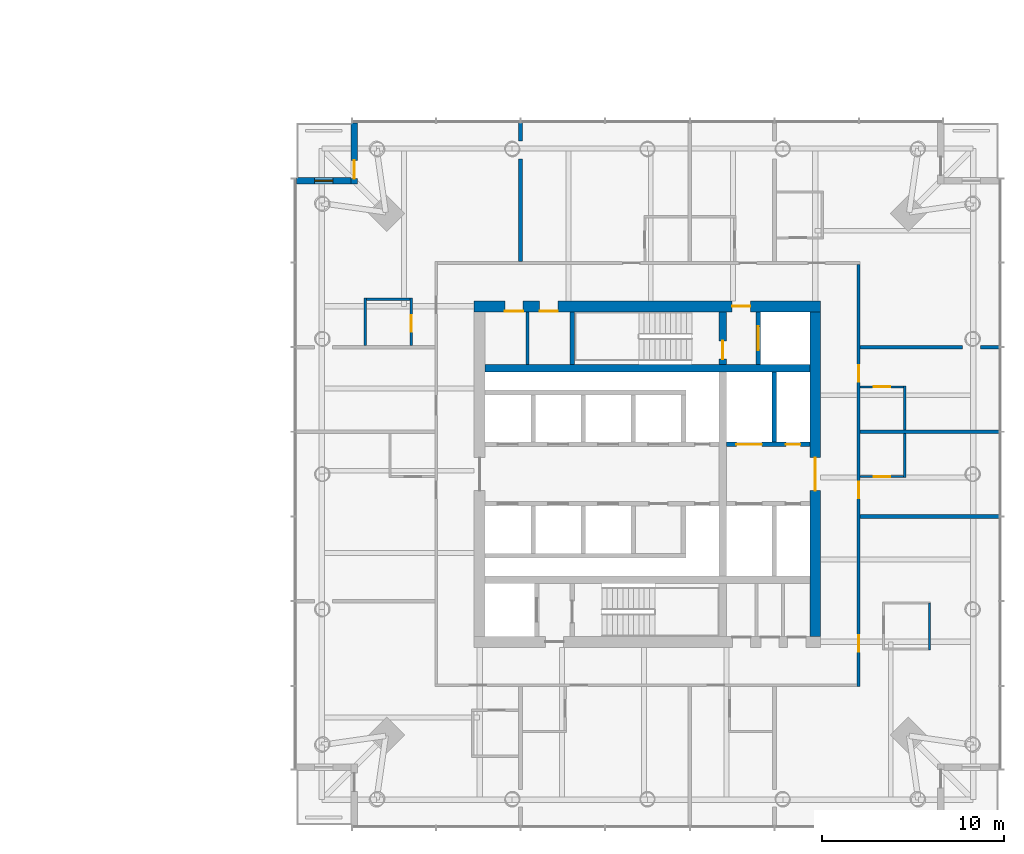
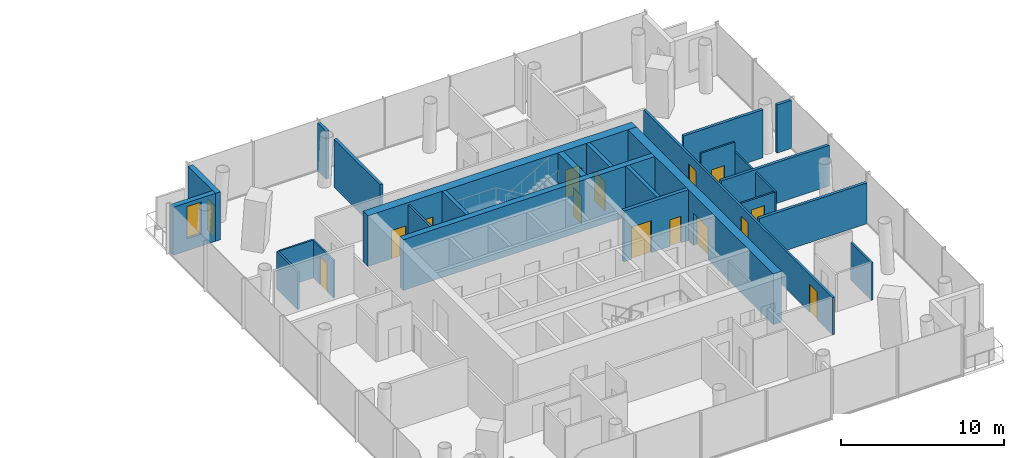
# One storey, part 16 of 21: 26 walls, 15 doors, 1 window, 16 openings.
"""IFC4 building model written with IfcOpenShell, lengths in metres."""

from ifc_helpers import new_model, si_unit, direction, frame, frame_2d, origin, place, context, subcontext, project, spatial, rectangle, extrude, material, layer, layer_set, type_object, element, fill, save


model = new_model("IFC4")

# Units and contexts
model_context = context("Model", 3, precision=1e-05, world=origin(), true_north=direction((0.0, 1.0)))
body_context = subcontext(model_context, "Body", "Model", "MODEL_VIEW")
ifc_project = project(units=[si_unit("LENGTHUNIT", "METRE"), si_unit("AREAUNIT", "SQUARE_METRE"), si_unit("VOLUMEUNIT", "CUBIC_METRE"), si_unit("PLANEANGLEUNIT", "RADIAN"), si_unit("MASSUNIT", "GRAM", prefix="KILO")], contexts=[model_context])

# Site, building, storey
site_placement = place(None, origin())
site = spatial("IfcSite", under=ifc_project, at=site_placement, CompositionType="ELEMENT")
building_placement = place(site_placement, origin())
building = spatial("IfcBuilding", under=site, at=building_placement, Name="Ostroluk Exchange", CompositionType="ELEMENT")
storey_placement = place(building_placement, frame((0.0, 0.0, 47.60009765625)))
storey = spatial("IfcBuildingStorey", under=building, at=storey_placement, Name="L11", CompositionType="ELEMENT", Elevation=47.60009765625)

# Walls
ifc_material_1 = material(Name="Concrete blockwork", Category="masonry")
ifc_layer_1 = layer(ifc_material_1, 0.14990234375)
ifc_layer_set_1 = layer_set([ifc_layer_1], Name="Blockwork plant room wall 150")
wall_type_1 = type_object("IfcWallType", Name="Blockwork plant room wall 150", PredefinedType="SOLIDWALL", material=ifc_layer_set_1)
wall_1_placement = place(storey_placement, frame((110.425048828125, 52.0, 0.0), z_axis=(0.0, 0.0, 1.0), x_axis=(0.0, 1.0, 0.0)))
element("IfcWall", 1, at=wall_1_placement, inside=storey, type_object=wall_type_1, Name="Core room wall", PredefinedType="SOLIDWALL", context=body_context, shape_type="SweptSolid", body=[
    extrude(rectangle(XDim=2.89990234375, YDim=0.14990234375, at=frame_2d((1.449951171875, 0.0))), origin(), (0.0, 0.0, 1.0), 3.599853515625),
])
ifc_material_2 = material(Name="Concrete C50/60", Category="concrete")
ifc_layer_2 = layer(ifc_material_2, 0.39990234375)
ifc_layer_set_2 = layer_set([ifc_layer_2], Name="Core cross wall 400 C50/60")
wall_type_2 = type_object("IfcWallType", Name="Core cross wall 400 C50/60", PredefinedType="SHEAR", material=ifc_layer_set_2)
wall_2_placement = place(storey_placement, frame((108.10009765625, 51.800048828125, 0.0), z_axis=(0.0, 0.0, 1.0), x_axis=(1.0, 0.0, 0.0)))
element("IfcWall", 2, at=wall_2_placement, inside=storey, type_object=wall_type_2, Name="T2 core wall XN", PredefinedType="SHEAR", context=body_context, shape_type="SweptSolid", body=[
    extrude(rectangle(XDim=17.7998046875, YDim=0.39990234375, at=frame_2d((8.89990234375, 0.0))), origin(), (0.0, 0.0, 1.0), 3.7998046875),
])

# Wall, opening, door
wall_3_placement = place(storey_placement, frame((121.1298828125, 52.0, 0.0), z_axis=(0.0, 0.0, 1.0), x_axis=(0.0, 1.0, 0.0)))
wall_3 = element("IfcWall", 3, at=wall_3_placement, inside=storey, type_object=wall_type_2, Name="T2 core wall YE3", PredefinedType="SHEAR", context=body_context, shape_type="SweptSolid", body=[
    extrude(rectangle(XDim=2.89990234375, YDim=0.39990234375, at=frame_2d((1.449951171875, 0.0))), origin(), (0.0, 0.0, 1.0), 3.7998046875),
])
opening_1_placement = place(wall_3_placement, frame((0.300048828125, 0.0, 0.0)))
opening_1 = element("IfcOpeningElement", 4, at=opening_1_placement, cuts=wall_3, Name="Opening FD60", PredefinedType="OPENING", context=body_context, shape_type="SweptSolid", body=[
    extrude(rectangle(XDim=1.0, YDim=2.10009765625, at=frame_2d((0.5, 1.050048828125))), frame((0.0, 0.2099609375, 0.0), z_axis=(0.0, -1.0, 0.0), x_axis=(1.0, 0.0, 0.0)), (0.0, 0.0, 1.0), 0.419921875),
])
ifc_material_3 = material(Name="Steel", Category="steel")
door_type_1 = type_object("IfcDoorType", Name="Fire door EI 60 1000 x 2100", OperationType="SINGLE_SWING_LEFT", PredefinedType="DOOR", material=ifc_material_3)
door_1_placement = place(opening_1_placement, origin())
door_1 = element("IfcDoor", 5, at=door_1_placement, inside=storey, type_object=door_type_1, Name="Stair T2-S2 door", OperationType="SINGLE_SWING_LEFT", OverallHeight=2.10009765625, OverallWidth=1.0, PredefinedType="DOOR", context=body_context, shape_type="SweptSolid", body=[
    extrude(rectangle(XDim=1.0, YDim=2.10009765625, at=frame_2d((0.5, 1.050048828125))), frame((0.0, 0.02490234375, 0.0), z_axis=(0.0, -1.0, 0.0), x_axis=(1.0, 0.0, 0.0)), (0.0, 0.0, 1.0), 0.050048828125),
])
fill(opening_1, door_1)

# Wall
ifc_material_4 = material(Name="Concrete C40/50", Category="concrete")
ifc_layer_3 = layer(ifc_material_4, 0.25)
ifc_layer_set_3 = layer_set([ifc_layer_3], Name="Core shaft wall 250")
wall_type_3 = type_object("IfcWallType", Name="Core shaft wall 250", PredefinedType="SHEAR", material=ifc_layer_set_3)
wall_4_placement = place(storey_placement, frame((112.875, 52.0, 0.0), z_axis=(0.0, 0.0, 1.0), x_axis=(0.0, 1.0, 0.0)))
element("IfcWall", 6, at=wall_4_placement, inside=storey, type_object=wall_type_3, Name="Stair shaft wall", PredefinedType="SHEAR", context=body_context, shape_type="SweptSolid", body=[
    extrude(rectangle(XDim=2.89990234375, YDim=0.25, at=frame_2d((1.449951171875, 0.0))), origin(), (0.0, 0.0, 1.0), 3.7998046875),
])

# Wall, opening, door
wall_5_placement = place(storey_placement, frame((123.074951171875, 52.0, 0.0), z_axis=(0.0, 0.0, 1.0), x_axis=(0.0, 1.0, 0.0)))
wall_5 = element("IfcWall", 7, at=wall_5_placement, inside=storey, type_object=wall_type_3, Name="Firefighting lift shaft wall", PredefinedType="SHEAR", context=body_context, shape_type="SweptSolid", body=[
    extrude(rectangle(XDim=2.89990234375, YDim=0.25, at=frame_2d((1.449951171875, 0.0))), origin(), (0.0, 0.0, 1.0), 3.7998046875),
])
opening_2_placement = place(wall_5_placement, frame((0.800048828125, 0.0, 0.0)))
opening_2 = element("IfcOpeningElement", 8, at=opening_2_placement, cuts=wall_5, Name="Opening LD2", PredefinedType="OPENING", context=body_context, shape_type="SweptSolid", body=[
    extrude(rectangle(XDim=1.300048828125, YDim=2.199951171875, at=frame_2d((0.64990234375, 1.10009765625))), frame((0.0, 0.135009765625, 0.0), z_axis=(0.0, -1.0, 0.0), x_axis=(1.0, 0.0, 0.0)), (0.0, 0.0, 1.0), 0.27001953125),
])
ifc_material_5 = material(Name="Stainless steel", Category="steel")
door_type_2 = type_object("IfcDoorType", Name="Lift landing door E 60 1300 x 2200", OperationType="DOUBLE_DOOR_SLIDING", PredefinedType="DOOR", material=ifc_material_5)
door_2_placement = place(opening_2_placement, origin())
door_2 = element("IfcDoor", 9, at=door_2_placement, inside=storey, type_object=door_type_2, Name="Lift HF2 landing door", OperationType="DOUBLE_DOOR_SLIDING", OverallHeight=2.199951171875, OverallWidth=1.300048828125, PredefinedType="DOOR", context=body_context, shape_type="SweptSolid", body=[
    extrude(rectangle(XDim=1.300048828125, YDim=2.199951171875, at=frame_2d((0.64990234375, 1.10009765625))), frame((0.0, 0.02490234375, 0.0), z_axis=(0.0, -1.0, 0.0), x_axis=(1.0, 0.0, 0.0)), (0.0, 0.0, 1.0), 0.050048828125),
])
fill(opening_2, door_2)

# Wall
wall_6_placement = place(storey_placement, frame((123.955078125, 47.75, 0.0), z_axis=(0.0, 0.0, 1.0), x_axis=(0.0, 1.0, 0.0)))
element("IfcWall", 10, at=wall_6_placement, inside=storey, type_object=wall_type_3, Name="Lift shaft wall", PredefinedType="SHEAR", context=body_context, shape_type="SweptSolid", body=[
    extrude(rectangle(XDim=3.85009765625, YDim=0.25, at=frame_2d((1.925048828125, 0.0))), origin(), (0.0, 0.0, 1.0), 3.7998046875),
])

# Wall, openings, doors
wall_7_placement = place(storey_placement, frame((121.330078125, 47.625, 0.0), z_axis=(0.0, 0.0, 1.0), x_axis=(1.0, 0.0, 0.0)))
wall_7 = element("IfcWall", 11, at=wall_7_placement, inside=storey, type_object=wall_type_3, Name="Lift shaft front wall", PredefinedType="SHEAR", context=body_context, shape_type="SweptSolid", body=[
    extrude(rectangle(XDim=4.56982421875, YDim=0.25, at=frame_2d((2.284912109375, 0.0))), origin(), (0.0, 0.0, 1.0), 3.7998046875),
])
opening_3_placement = place(wall_7_placement, frame((0.550048828125, 0.0, 0.0)))
opening_3 = element("IfcOpeningElement", 12, at=opening_3_placement, cuts=wall_7, Name="Opening LD3", PredefinedType="OPENING", context=body_context, shape_type="SweptSolid", body=[
    extrude(rectangle(XDim=1.39990234375, YDim=2.39990234375, at=frame_2d((0.699951171875, 1.199951171875))), frame((0.0, 0.135009765625, 0.0), z_axis=(0.0, -1.0, 0.0), x_axis=(1.0, 0.0, 0.0)), (0.0, 0.0, 1.0), 0.27001953125),
])
opening_4_placement = place(wall_7_placement, frame((3.260009765625, 0.0, 0.0)))
opening_4 = element("IfcOpeningElement", 13, at=opening_4_placement, cuts=wall_7, Name="Opening RD60", PredefinedType="OPENING", context=body_context, shape_type="SweptSolid", body=[
    extrude(rectangle(XDim=0.800048828125, YDim=2.0, at=frame_2d((0.39990234375, 1.0))), frame((0.0, 0.135009765625, 0.0), z_axis=(0.0, -1.0, 0.0), x_axis=(1.0, 0.0, 0.0)), (0.0, 0.0, 1.0), 0.27001953125),
])
ifc_material_6 = material(Name="Stainless steel", Category="steel")
door_type_3 = type_object("IfcDoorType", Name="Goods lift landing door E 60 1400 x 2400", OperationType="DOUBLE_DOOR_SLIDING", PredefinedType="DOOR", material=ifc_material_6)
door_3_placement = place(opening_3_placement, origin())
door_3 = element("IfcDoor", 14, at=door_3_placement, inside=storey, type_object=door_type_3, Name="Lift HS1 landing door", OperationType="DOUBLE_DOOR_SLIDING", OverallHeight=2.39990234375, OverallWidth=1.39990234375, PredefinedType="DOOR", context=body_context, shape_type="SweptSolid", body=[
    extrude(rectangle(XDim=1.39990234375, YDim=2.39990234375, at=frame_2d((0.699951171875, 1.199951171875))), frame((0.0, 0.02490234375, 0.0), z_axis=(0.0, -1.0, 0.0), x_axis=(1.0, 0.0, 0.0)), (0.0, 0.0, 1.0), 0.050048828125),
])
fill(opening_3, door_3)
ifc_material_7 = material(Name="Steel", Category="steel")
door_type_4 = type_object("IfcDoorType", Name="Riser access door EI 60 800 x 2000", OperationType="SINGLE_SWING_LEFT", PredefinedType="DOOR", material=ifc_material_7)
door_4_placement = place(opening_4_placement, origin())
door_4 = element("IfcDoor", 15, at=door_4_placement, inside=storey, type_object=door_type_4, Name="Riser access door", OperationType="SINGLE_SWING_RIGHT", OverallHeight=2.0, OverallWidth=0.800048828125, PredefinedType="DOOR", context=body_context, shape_type="SweptSolid", body=[
    extrude(rectangle(XDim=0.800048828125, YDim=2.0, at=frame_2d((0.39990234375, 1.0))), frame((0.0, 0.02490234375, 0.0), z_axis=(0.0, -1.0, 0.0), x_axis=(1.0, 0.0, 0.0)), (0.0, 0.0, 1.0), 0.050048828125),
])
fill(opening_4, door_4)

ifc_material_8 = material(Name="Concrete C50/60", Category="concrete")
ifc_layer_4 = layer(ifc_material_8, 0.60009765625)
ifc_layer_set_4 = layer_set([ifc_layer_4], Name="Core wall 600 C50/60")
wall_type_4 = type_object("IfcWallType", Name="Core wall 600 C50/60", PredefinedType="SHEAR", material=ifc_layer_set_4)
wall_8_placement = place(storey_placement, frame((107.5, 55.199951171875, 0.0), z_axis=(0.0, 0.0, 1.0), x_axis=(1.0, 0.0, 0.0)))
wall_8 = element("IfcWall", 16, at=wall_8_placement, inside=storey, type_object=wall_type_4, Name="T2 core wall N", PredefinedType="SHEAR", context=body_context, shape_type="SweptSolid", body=[
    extrude(rectangle(XDim=19.0, YDim=0.60009765625, at=frame_2d((9.5, 0.0))), origin(), (0.0, 0.0, 1.0), 3.7998046875),
])
opening_5_placement = place(wall_8_placement, frame((14.139892578125, 0.0, 0.0)))
opening_5 = element("IfcOpeningElement", 17, at=opening_5_placement, cuts=wall_8, Name="Opening FD60", PredefinedType="OPENING", context=body_context, shape_type="SweptSolid", body=[
    extrude(rectangle(XDim=1.0, YDim=2.10009765625, at=frame_2d((0.5, 1.050048828125))), frame((0.0, 0.31005859375, 0.0), z_axis=(0.0, -1.0, 0.0), x_axis=(1.0, 0.0, 0.0)), (0.0, 0.0, 1.0), 0.6201171875),
])
opening_6_placement = place(wall_8_placement, frame((1.675048828125, 0.0, 0.0)))
opening_6 = element("IfcOpeningElement", 18, at=opening_6_placement, cuts=wall_8, Name="Opening FD60", PredefinedType="OPENING", context=body_context, shape_type="SweptSolid", body=[
    extrude(rectangle(XDim=1.0, YDim=2.10009765625, at=frame_2d((0.5, 1.050048828125))), frame((0.0, 0.31005859375, 0.0), z_axis=(0.0, -1.0, 0.0), x_axis=(1.0, 0.0, 0.0)), (0.0, 0.0, 1.0), 0.6201171875),
])
opening_7_placement = place(wall_8_placement, frame((3.58740234375, 0.0, 0.0)))
opening_7 = element("IfcOpeningElement", 19, at=opening_7_placement, cuts=wall_8, Name="Opening FD60", PredefinedType="OPENING", context=body_context, shape_type="SweptSolid", body=[
    extrude(rectangle(XDim=1.0, YDim=2.10009765625, at=frame_2d((0.5, 1.050048828125))), frame((0.0, 0.31005859375, 0.0), z_axis=(0.0, -1.0, 0.0), x_axis=(1.0, 0.0, 0.0)), (0.0, 0.0, 1.0), 0.6201171875),
])
door_5_placement = place(opening_5_placement, origin())
door_5 = element("IfcDoor", 20, at=door_5_placement, inside=storey, type_object=door_type_1, Name="Firefighting lobby door", OperationType="SINGLE_SWING_RIGHT", OverallHeight=2.10009765625, OverallWidth=1.0, PredefinedType="DOOR", context=body_context, shape_type="SweptSolid", body=[
    extrude(rectangle(XDim=1.0, YDim=2.10009765625, at=frame_2d((0.5, 1.050048828125))), frame((0.0, 0.02490234375, 0.0), z_axis=(0.0, -1.0, 0.0), x_axis=(1.0, 0.0, 0.0)), (0.0, 0.0, 1.0), 0.050048828125),
])
fill(opening_5, door_5)
door_6_placement = place(opening_6_placement, origin())
door_6 = element("IfcDoor", 21, at=door_6_placement, inside=storey, type_object=door_type_1, Name="Guest pantry door", OperationType="SINGLE_SWING_LEFT", OverallHeight=2.10009765625, OverallWidth=1.0, PredefinedType="DOOR", context=body_context, shape_type="SweptSolid", body=[
    extrude(rectangle(XDim=1.0, YDim=2.10009765625, at=frame_2d((0.5, 1.050048828125))), frame((0.0, -0.23974609375, 0.0), z_axis=(0.0, -1.0, 0.0), x_axis=(1.0, 0.0, 0.0)), (0.0, 0.0, 1.0), 0.050048828125),
])
fill(opening_6, door_6)
door_7_placement = place(opening_7_placement, origin())
door_7 = element("IfcDoor", 22, at=door_7_placement, inside=storey, type_object=door_type_1, Name="Ice and vending room door", OperationType="SINGLE_SWING_LEFT", OverallHeight=2.10009765625, OverallWidth=1.0, PredefinedType="DOOR", context=body_context, shape_type="SweptSolid", body=[
    extrude(rectangle(XDim=1.0, YDim=2.10009765625, at=frame_2d((0.5, 1.050048828125))), frame((0.0, -0.23974609375, 0.0), z_axis=(0.0, -1.0, 0.0), x_axis=(1.0, 0.0, 0.0)), (0.0, 0.0, 1.0), 0.050048828125),
])
fill(opening_7, door_7)

# Wall, opening, door
wall_9_placement = place(storey_placement, frame((126.199951171875, 37.10009765625, 0.0), z_axis=(0.0, 0.0, 1.0), x_axis=(0.0, 1.0, 0.0)))
wall_9 = element("IfcWall", 23, at=wall_9_placement, inside=storey, type_object=wall_type_4, Name="T2 core wall E", PredefinedType="SHEAR", context=body_context, shape_type="SweptSolid", body=[
    extrude(rectangle(XDim=17.7998046875, YDim=0.60009765625, at=frame_2d((8.89990234375, 0.0))), origin(), (0.0, 0.0, 1.0), 3.7998046875),
])
opening_8_placement = place(wall_9_placement, frame((8.0, 0.0, 0.0)))
opening_8 = element("IfcOpeningElement", 24, at=opening_8_placement, cuts=wall_9, Name="Opening FD30D", PredefinedType="OPENING", context=body_context, shape_type="SweptSolid", body=[
    extrude(rectangle(XDim=1.800048828125, YDim=2.39990234375, at=frame_2d((0.89990234375, 1.199951171875))), frame((0.0, 0.31005859375, 0.0), z_axis=(0.0, -1.0, 0.0), x_axis=(1.0, 0.0, 0.0)), (0.0, 0.0, 1.0), 0.6201171875),
])
ifc_material_9 = material(Name="Timber", Category="wood")
door_type_5 = type_object("IfcDoorType", Name="Lobby double door EI 30 1800 x 2400", OperationType="DOUBLE_DOOR_SINGLE_SWING", PredefinedType="DOOR", material=ifc_material_9)
door_8_placement = place(opening_8_placement, origin())
door_8 = element("IfcDoor", 25, at=door_8_placement, inside=storey, type_object=door_type_5, Name="Lift lobby doors", OperationType="DOUBLE_DOOR_SINGLE_SWING", OverallHeight=2.39990234375, OverallWidth=1.800048828125, PredefinedType="DOOR", context=body_context, shape_type="SweptSolid", body=[
    extrude(rectangle(XDim=1.800048828125, YDim=2.39990234375, at=frame_2d((0.89990234375, 1.199951171875))), frame((0.0, 0.02490234375, 0.0), z_axis=(0.0, -1.0, 0.0), x_axis=(1.0, 0.0, 0.0)), (0.0, 0.0, 1.0), 0.050048828125),
])
fill(opening_8, door_8)

ifc_material_10 = material(Name="Limestone", Category="masonry")
ifc_layer_5 = layer(ifc_material_10, 0.35009765625)
ifc_layer_set_5 = layer_set([ifc_layer_5], Name="Limestone facade wall 350")
wall_type_5 = type_object("IfcWallType", Name="Limestone facade wall 350", PredefinedType="SOLIDWALL", material=ifc_layer_set_5)
wall_10_placement = place(storey_placement, frame((100.925048828125, 65.25, 0.0), z_axis=(0.0, 0.0, 1.0), x_axis=(0.0, -1.0, 0.0)))
wall_10 = element("IfcWall", 26, at=wall_10_placement, inside=storey, type_object=wall_type_5, Name="Hotel tower NW corner wall L11 a", PredefinedType="SOLIDWALL", context=body_context, shape_type="SweptSolid", body=[
    extrude(rectangle(XDim=3.35009765625, YDim=0.35009765625, at=frame_2d((1.675048828125, 0.0))), origin(), (0.0, 0.0, 1.0), 3.599853515625),
])
opening_9_placement = place(wall_10_placement, frame((2.050048828125, 0.0, 0.0)))
opening_9 = element("IfcOpeningElement", 27, at=opening_9_placement, cuts=wall_10, Name="Opening D-B1", PredefinedType="OPENING", context=body_context, shape_type="SweptSolid", body=[
    extrude(rectangle(XDim=1.0, YDim=2.39990234375, at=frame_2d((0.5, 1.199951171875))), frame((0.0, 0.18505859375, 0.0), z_axis=(0.0, -1.0, 0.0), x_axis=(1.0, 0.0, 0.0)), (0.0, 0.0, 1.0), 0.3701171875),
])
ifc_material_11 = material(Name="Bronze framed glazed door", Category="aluminium")
door_type_6 = type_object("IfcDoorType", Name="Balcony door 1000 x 2400", OperationType="SINGLE_SWING_LEFT", PredefinedType="DOOR", material=ifc_material_11)
door_9_placement = place(opening_9_placement, origin())
door_9 = element("IfcDoor", 28, at=door_9_placement, inside=storey, type_object=door_type_6, Name="Hotel tower NW balcony door L11", OperationType="SINGLE_SWING_RIGHT", OverallHeight=2.39990234375, OverallWidth=1.0, PredefinedType="DOOR", context=body_context, shape_type="SweptSolid", body=[
    extrude(rectangle(XDim=1.0, YDim=2.39990234375, at=frame_2d((0.5, 1.199951171875))), frame((0.0, 0.02490234375, 0.0), z_axis=(0.0, -1.0, 0.0), x_axis=(1.0, 0.0, 0.0)), (0.0, 0.0, 1.0), 0.050048828125),
])
fill(opening_9, door_9)

# Wall, opening, window
wall_11_placement = place(storey_placement, frame((100.75, 62.074951171875, 0.0), z_axis=(0.0, 0.0, 1.0), x_axis=(-1.0, 0.0, 0.0)))
wall_11 = element("IfcWall", 29, at=wall_11_placement, inside=storey, type_object=wall_type_5, Name="Hotel tower NW corner wall L11 b", PredefinedType="SOLIDWALL", context=body_context, shape_type="SweptSolid", body=[
    extrude(rectangle(XDim=3.0, YDim=0.35009765625, at=frame_2d((1.5, 0.0))), origin(), (0.0, 0.0, 1.0), 3.599853515625),
])
opening_10_placement = place(wall_11_placement, frame((1.0, 0.0, 0.89990234375)))
opening_10 = element("IfcOpeningElement", 30, at=opening_10_placement, cuts=wall_11, Name="Opening WN-L3", PredefinedType="OPENING", context=body_context, shape_type="SweptSolid", body=[
    extrude(rectangle(XDim=1.0, YDim=2.39990234375, at=frame_2d((0.5, 1.199951171875))), frame((0.0, 0.18505859375, 0.0), z_axis=(0.0, -1.0, 0.0), x_axis=(1.0, 0.0, 0.0)), (0.0, 0.0, 1.0), 0.3701171875),
])
ifc_material_12 = material(Name="Laminated clear glass", Category="glass")
window_type = type_object("IfcWindowType", Name="Hotel lancet window 1000 x 2400", PartitioningType="SINGLE_PANEL", PredefinedType="WINDOW", material=ifc_material_12)
window_placement = place(opening_10_placement, origin())
window = element("IfcWindow", 31, at=window_placement, inside=storey, type_object=window_type, Name="Hotel tower NW lancet window L11", OverallHeight=2.39990234375, OverallWidth=1.0, PartitioningType="SINGLE_PANEL", PredefinedType="WINDOW", context=body_context, shape_type="SweptSolid", body=[
    extrude(rectangle(XDim=1.0, YDim=2.39990234375, at=frame_2d((0.5, 1.199951171875))), frame((0.0, 0.030029296875, 0.0), z_axis=(0.0, -1.0, 0.0), x_axis=(1.0, 0.0, 0.0)), (0.0, 0.0, 1.0), 0.06005859375),
])
fill(opening_10, window)

# Walls
ifc_material_13 = material(Name="Gypsum plasterboard partition, moisture resistant", Category="gypsum")
ifc_layer_6 = layer(ifc_material_13, 0.1201171875)
ifc_layer_set_6 = layer_set([ifc_layer_6], Name="Plasterboard en-suite wall 120")
wall_type_6 = type_object("IfcWallType", Name="Plasterboard en-suite wall 120", PredefinedType="PARTITIONING", material=ifc_layer_set_6)
wall_12_placement = place(storey_placement, frame((132.469970703125, 38.935791015625, 0.0), z_axis=(0.0, 0.0, 1.0), x_axis=(0.0, -1.0, 0.0)))
element("IfcWall", 32, at=wall_12_placement, inside=storey, type_object=wall_type_6, Name="En-suite wall", PredefinedType="PARTITIONING", context=body_context, shape_type="SweptSolid", body=[
    extrude(rectangle(XDim=2.580078125, YDim=0.1201171875, at=frame_2d((1.2900390625, 0.0))), origin(), (0.0, 0.0, 1.0), 2.7998046875),
])
wall_13_placement = place(storey_placement, frame((131.110107421875, 45.801513671875, 0.0), z_axis=(0.0, 0.0, 1.0), x_axis=(0.0, 1.0, 0.0)))
element("IfcWall", 33, at=wall_13_placement, inside=storey, type_object=wall_type_6, Name="En-suite wall", PredefinedType="PARTITIONING", context=body_context, shape_type="SweptSolid", body=[
    extrude(rectangle(XDim=2.419921875, YDim=0.1201171875, at=frame_2d((1.2099609375, 0.0))), origin(), (0.0, 0.0, 1.0), 2.846923828125),
])

# Wall, opening, door
wall_14_placement = place(storey_placement, frame((128.64990234375, 45.861328125, 0.0), z_axis=(0.0, 0.0, 1.0), x_axis=(1.0, 0.0, 0.0)))
wall_14 = element("IfcWall", 34, at=wall_14_placement, inside=storey, type_object=wall_type_6, Name="En-suite wall", PredefinedType="PARTITIONING", context=body_context, shape_type="SweptSolid", body=[
    extrude(rectangle(XDim=2.400146484375, YDim=0.1201171875, at=frame_2d((1.2001953125, 0.0))), origin(), (0.0, 0.0, 1.0), 2.846923828125),
])
opening_11_placement = place(wall_14_placement, frame((0.75, 0.0, 0.0)))
opening_11 = element("IfcOpeningElement", 35, at=opening_11_placement, cuts=wall_14, Name="Opening D-02", PredefinedType="OPENING", context=body_context, shape_type="SweptSolid", body=[
    extrude(rectangle(XDim=0.89990234375, YDim=2.10009765625, at=frame_2d((0.449951171875, 1.050048828125))), frame((0.0, 0.070068359375, 0.0), z_axis=(0.0, -1.0, 0.0), x_axis=(1.0, 0.0, 0.0)), (0.0, 0.0, 1.0), 0.14013671875),
])
ifc_material_14 = material(Name="Timber", Category="wood")
door_type_7 = type_object("IfcDoorType", Name="En-suite door 900 x 2100", OperationType="SINGLE_SWING_LEFT", PredefinedType="DOOR", material=ifc_material_14)
door_10_placement = place(opening_11_placement, origin())
door_10 = element("IfcDoor", 36, at=door_10_placement, inside=storey, type_object=door_type_7, Name="En-suite door 1102", OperationType="SINGLE_SWING_LEFT", OverallHeight=2.10009765625, OverallWidth=0.89990234375, PredefinedType="DOOR", context=body_context, shape_type="SweptSolid", body=[
    extrude(rectangle(XDim=0.89990234375, YDim=2.10009765625, at=frame_2d((0.449951171875, 1.050048828125))), frame((0.0, 0.02490234375, 0.0), z_axis=(0.0, -1.0, 0.0), x_axis=(1.0, 0.0, 0.0)), (0.0, 0.0, 1.0), 0.050048828125),
])
fill(opening_11, door_10)

# Wall
wall_15_placement = place(storey_placement, frame((131.110107421875, 48.42138671875, 0.0), z_axis=(0.0, 0.0, 1.0), x_axis=(0.0, 1.0, 0.0)))
element("IfcWall", 37, at=wall_15_placement, inside=storey, type_object=wall_type_6, Name="En-suite wall", PredefinedType="PARTITIONING", context=body_context, shape_type="SweptSolid", body=[
    extrude(rectangle(XDim=2.419921875, YDim=0.1201171875, at=frame_2d((1.2099609375, 0.0))), origin(), (0.0, 0.0, 1.0), 2.846923828125),
])

# Wall, opening, door
wall_16_placement = place(storey_placement, frame((128.64990234375, 50.781494140625, 0.0), z_axis=(0.0, 0.0, 1.0), x_axis=(1.0, 0.0, 0.0)))
wall_16 = element("IfcWall", 38, at=wall_16_placement, inside=storey, type_object=wall_type_6, Name="En-suite wall", PredefinedType="PARTITIONING", context=body_context, shape_type="SweptSolid", body=[
    extrude(rectangle(XDim=2.400146484375, YDim=0.1201171875, at=frame_2d((1.2001953125, 0.0))), origin(), (0.0, 0.0, 1.0), 3.599853515625),
])
opening_12_placement = place(wall_16_placement, frame((0.75, 0.0, 0.0)))
opening_12 = element("IfcOpeningElement", 39, at=opening_12_placement, cuts=wall_16, Name="Opening D-02", PredefinedType="OPENING", context=body_context, shape_type="SweptSolid", body=[
    extrude(rectangle(XDim=0.89990234375, YDim=2.10009765625, at=frame_2d((0.449951171875, 1.050048828125))), frame((0.0, 0.070068359375, 0.0), z_axis=(0.0, -1.0, 0.0), x_axis=(1.0, 0.0, 0.0)), (0.0, 0.0, 1.0), 0.14013671875),
])
door_11_placement = place(opening_12_placement, origin())
door_11 = element("IfcDoor", 40, at=door_11_placement, inside=storey, type_object=door_type_7, Name="En-suite door 1103", OperationType="SINGLE_SWING_LEFT", OverallHeight=2.10009765625, OverallWidth=0.89990234375, PredefinedType="DOOR", context=body_context, shape_type="SweptSolid", body=[
    extrude(rectangle(XDim=0.89990234375, YDim=2.10009765625, at=frame_2d((0.449951171875, 1.050048828125))), frame((0.0, 0.02490234375, 0.0), z_axis=(0.0, -1.0, 0.0), x_axis=(1.0, 0.0, 0.0)), (0.0, 0.0, 1.0), 0.050048828125),
])
fill(opening_12, door_11)

wall_17_placement = place(storey_placement, frame((104.050048828125, 53.064208984375, 0.0), z_axis=(0.0, 0.0, 1.0), x_axis=(0.0, 1.0, 0.0)))
wall_17 = element("IfcWall", 41, at=wall_17_placement, inside=storey, type_object=wall_type_6, Name="En-suite wall", PredefinedType="PARTITIONING", context=body_context, shape_type="SweptSolid", body=[
    extrude(rectangle(XDim=2.580078125, YDim=0.1201171875, at=frame_2d((1.2900390625, 0.0))), origin(), (0.0, 0.0, 1.0), 2.7998046875),
])
opening_13_placement = place(wall_17_placement, frame((0.75, 0.0, 0.0)))
opening_13 = element("IfcOpeningElement", 42, at=opening_13_placement, cuts=wall_17, Name="Opening D-02", PredefinedType="OPENING", context=body_context, shape_type="SweptSolid", body=[
    extrude(rectangle(XDim=0.89990234375, YDim=2.10009765625, at=frame_2d((0.449951171875, 1.050048828125))), frame((0.0, 0.070068359375, 0.0), z_axis=(0.0, -1.0, 0.0), x_axis=(1.0, 0.0, 0.0)), (0.0, 0.0, 1.0), 0.14013671875),
])
door_12_placement = place(opening_13_placement, origin())
door_12 = element("IfcDoor", 43, at=door_12_placement, inside=storey, type_object=door_type_7, Name="En-suite door 1107", OperationType="SINGLE_SWING_LEFT", OverallHeight=2.10009765625, OverallWidth=0.89990234375, PredefinedType="DOOR", context=body_context, shape_type="SweptSolid", body=[
    extrude(rectangle(XDim=0.89990234375, YDim=2.10009765625, at=frame_2d((0.449951171875, 1.050048828125))), frame((0.0, 0.02490234375, 0.0), z_axis=(0.0, -1.0, 0.0), x_axis=(1.0, 0.0, 0.0)), (0.0, 0.0, 1.0), 0.050048828125),
])
fill(opening_13, door_12)

# Walls
wall_18_placement = place(storey_placement, frame((101.530029296875, 53.064208984375, 0.0), z_axis=(0.0, 0.0, 1.0), x_axis=(0.0, 1.0, 0.0)))
element("IfcWall", 44, at=wall_18_placement, inside=storey, type_object=wall_type_6, Name="En-suite wall", PredefinedType="PARTITIONING", context=body_context, shape_type="SweptSolid", body=[
    extrude(rectangle(XDim=2.580078125, YDim=0.1201171875, at=frame_2d((1.2900390625, 0.0))), origin(), (0.0, 0.0, 1.0), 2.7998046875),
])
wall_19_placement = place(storey_placement, frame((103.989990234375, 55.584228515625, 0.0), z_axis=(0.0, 0.0, 1.0), x_axis=(-1.0, 0.0, 0.0)))
element("IfcWall", 45, at=wall_19_placement, inside=storey, type_object=wall_type_6, Name="En-suite wall", PredefinedType="PARTITIONING", context=body_context, shape_type="SweptSolid", body=[
    extrude(rectangle(XDim=2.39990234375, YDim=0.1201171875, at=frame_2d((1.199951171875, 0.0))), origin(), (0.0, 0.0, 1.0), 2.846923828125),
])

# Wall, openings, doors
ifc_material_15 = material(Name="Gypsum plasterboard partition", Category="gypsum")
ifc_layer_7 = layer(ifc_material_15, 0.14990234375)
ifc_layer_set_7 = layer_set([ifc_layer_7], Name="Plasterboard partition 150")
wall_type_7 = type_object("IfcWallType", Name="Plasterboard partition 150", PredefinedType="PARTITIONING", material=ifc_layer_set_7)
wall_20_placement = place(storey_placement, frame((128.574951171875, 34.35009765625, 0.0), z_axis=(0.0, 0.0, 1.0), x_axis=(0.0, 1.0, 0.0)))
wall_20 = element("IfcWall", 46, at=wall_20_placement, inside=storey, type_object=wall_type_7, Name="Corridor wall", PredefinedType="PARTITIONING", context=body_context, shape_type="SweptSolid", body=[
    extrude(rectangle(XDim=23.14990234375, YDim=0.14990234375, at=frame_2d((11.574951171875, 0.0))), origin(), (0.0, 0.0, 1.0), 2.7998046875),
])
opening_14_placement = place(wall_20_placement, frame((1.91796875, 0.0, 0.0)))
opening_14 = element("IfcOpeningElement", 47, at=opening_14_placement, cuts=wall_20, Name="Opening D-01", PredefinedType="OPENING", context=body_context, shape_type="SweptSolid", body=[
    extrude(rectangle(XDim=0.89990234375, YDim=2.10009765625, at=frame_2d((0.449951171875, 1.050048828125))), frame((0.0, 0.0849609375, 0.0), z_axis=(0.0, -1.0, 0.0), x_axis=(1.0, 0.0, 0.0)), (0.0, 0.0, 1.0), 0.169921875),
])
opening_15_placement = place(wall_20_placement, frame((10.321533203125, 0.0, 0.0)))
opening_15 = element("IfcOpeningElement", 48, at=opening_15_placement, cuts=wall_20, Name="Opening D-01", PredefinedType="OPENING", context=body_context, shape_type="SweptSolid", body=[
    extrude(rectangle(XDim=0.89990234375, YDim=2.10009765625, at=frame_2d((0.449951171875, 1.050048828125))), frame((0.0, 0.0849609375, 0.0), z_axis=(0.0, -1.0, 0.0), x_axis=(1.0, 0.0, 0.0)), (0.0, 0.0, 1.0), 0.169921875),
])
opening_16_placement = place(wall_20_placement, frame((16.721435546875, 0.0, 0.0)))
opening_16 = element("IfcOpeningElement", 49, at=opening_16_placement, cuts=wall_20, Name="Opening D-01", PredefinedType="OPENING", context=body_context, shape_type="SweptSolid", body=[
    extrude(rectangle(XDim=0.89990234375, YDim=2.10009765625, at=frame_2d((0.449951171875, 1.050048828125))), frame((0.0, 0.0849609375, 0.0), z_axis=(0.0, -1.0, 0.0), x_axis=(1.0, 0.0, 0.0)), (0.0, 0.0, 1.0), 0.169921875),
])
ifc_material_16 = material(Name="Timber", Category="wood")
door_type_8 = type_object("IfcDoorType", Name="Hotel room door EI 30 Sa 900 x 2100", OperationType="SINGLE_SWING_LEFT", PredefinedType="DOOR", material=ifc_material_16)
door_13_placement = place(opening_14_placement, origin())
door_13 = element("IfcDoor", 50, at=door_13_placement, inside=storey, type_object=door_type_8, Name="Room door 1101", OperationType="SINGLE_SWING_LEFT", OverallHeight=2.10009765625, OverallWidth=0.89990234375, PredefinedType="DOOR", context=body_context, shape_type="SweptSolid", body=[
    extrude(rectangle(XDim=0.89990234375, YDim=2.10009765625, at=frame_2d((0.449951171875, 1.050048828125))), frame((0.0, 0.02490234375, 0.0), z_axis=(0.0, -1.0, 0.0), x_axis=(1.0, 0.0, 0.0)), (0.0, 0.0, 1.0), 0.050048828125),
])
fill(opening_14, door_13)
door_14_placement = place(opening_15_placement, origin())
door_14 = element("IfcDoor", 51, at=door_14_placement, inside=storey, type_object=door_type_8, Name="Room door 1102", OperationType="SINGLE_SWING_LEFT", OverallHeight=2.10009765625, OverallWidth=0.89990234375, PredefinedType="DOOR", context=body_context, shape_type="SweptSolid", body=[
    extrude(rectangle(XDim=0.89990234375, YDim=2.10009765625, at=frame_2d((0.449951171875, 1.050048828125))), frame((0.0, 0.02490234375, 0.0), z_axis=(0.0, -1.0, 0.0), x_axis=(1.0, 0.0, 0.0)), (0.0, 0.0, 1.0), 0.050048828125),
])
fill(opening_15, door_14)
door_15_placement = place(opening_16_placement, origin())
door_15 = element("IfcDoor", 52, at=door_15_placement, inside=storey, type_object=door_type_8, Name="Room door 1103", OperationType="SINGLE_SWING_RIGHT", OverallHeight=2.10009765625, OverallWidth=0.89990234375, PredefinedType="DOOR", context=body_context, shape_type="SweptSolid", body=[
    extrude(rectangle(XDim=0.89990234375, YDim=2.10009765625, at=frame_2d((0.449951171875, 1.050048828125))), frame((0.0, 0.02490234375, 0.0), z_axis=(0.0, -1.0, 0.0), x_axis=(1.0, 0.0, 0.0)), (0.0, 0.0, 1.0), 0.050048828125),
])
fill(opening_16, door_15)

# Walls
ifc_material_17 = material(Name="Gypsum plasterboard partition", Category="gypsum")
ifc_layer_8 = layer(ifc_material_17, 0.199951171875)
ifc_layer_set_8 = layer_set([ifc_layer_8], Name="Plasterboard party wall 200")
wall_type_8 = type_object("IfcWallType", Name="Plasterboard party wall 200", PredefinedType="PARTITIONING", material=ifc_layer_set_8)
for number, where, z_axis, x_axis, name in (
    (53, (128.64990234375, 43.678466796875, 0.0), (0.0, 0.0, 1.0), (1.0, 0.0, 0.0), "Party wall"),
    (54, (128.64990234375, 48.321533203125, 0.0), (0.0, 0.0, 1.0), (1.0, 0.0, 0.0), "Party wall"),
):
    element("IfcWall", number, at=place(storey_placement, frame(where, z_axis=z_axis, x_axis=x_axis)), inside=storey, type_object=wall_type_8, Name=name, PredefinedType="PARTITIONING", context=body_context, shape_type="SweptSolid", body=[
        extrude(rectangle(XDim=7.64013671875, YDim=0.199951171875, at=frame_2d((3.820068359375, 0.0))), origin(), (0.0, 0.0, 1.0), 3.0498046875),
    ])
wall_21_placement = place(storey_placement, frame((128.64990234375, 52.96435546875, 0.0), z_axis=(0.0, 0.0, 1.0), x_axis=(1.0, 0.0, 0.0)))
element("IfcWall", 55, at=wall_21_placement, inside=storey, type_object=wall_type_8, Name="Party wall", PredefinedType="PARTITIONING", context=body_context, shape_type="SweptSolid", body=[
    extrude(rectangle(XDim=5.63330078125, YDim=0.199951171875, at=frame_2d((2.816650390625, 0.0))), origin(), (0.0, 0.0, 1.0), 3.599853515625),
])
wall_22_placement = place(storey_placement, frame((135.260009765625, 52.96435546875, 0.0), z_axis=(0.0, 0.0, 1.0), x_axis=(1.0, 0.0, 0.0)))
element("IfcWall", 56, at=wall_22_placement, inside=storey, type_object=wall_type_8, Name="Party wall", PredefinedType="PARTITIONING", context=body_context, shape_type="SweptSolid", body=[
    extrude(rectangle(XDim=1.030029296875, YDim=0.199951171875, at=frame_2d((0.51513671875, 0.0))), origin(), (0.0, 0.0, 1.0), 3.599853515625),
])
wall_23_placement = place(storey_placement, frame((110.03564453125, 57.64990234375, 0.0), z_axis=(0.0, 0.0, 1.0), x_axis=(0.0, 1.0, 0.0)))
element("IfcWall", 57, at=wall_23_placement, inside=storey, type_object=wall_type_8, Name="Party wall", PredefinedType="PARTITIONING", context=body_context, shape_type="SweptSolid", body=[
    extrude(rectangle(XDim=5.63330078125, YDim=0.199951171875, at=frame_2d((2.816650390625, 0.0))), origin(), (0.0, 0.0, 1.0), 3.599853515625),
])
wall_24_placement = place(storey_placement, frame((110.03564453125, 64.260009765625, 0.0), z_axis=(0.0, 0.0, 1.0), x_axis=(0.0, 1.0, 0.0)))
element("IfcWall", 58, at=wall_24_placement, inside=storey, type_object=wall_type_8, Name="Party wall", PredefinedType="PARTITIONING", context=body_context, shape_type="SweptSolid", body=[
    extrude(rectangle(XDim=1.030029296875, YDim=0.199951171875, at=frame_2d((0.51513671875, 0.0))), origin(), (0.0, 0.0, 1.0), 3.599853515625),
])

save(model, "model.ifc")
